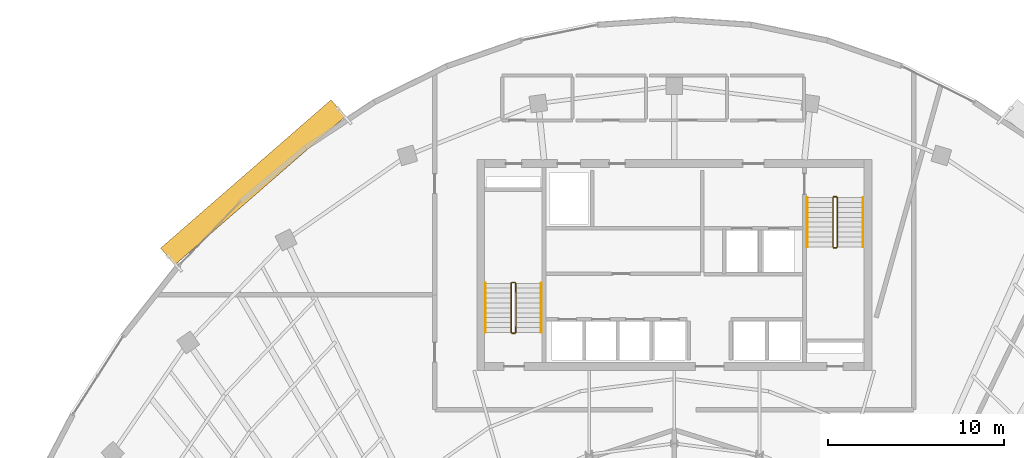
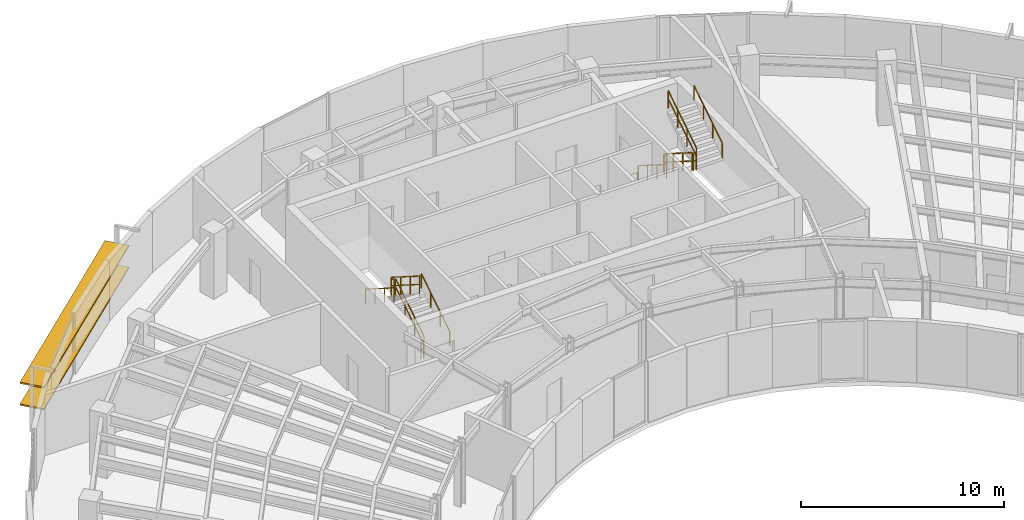
# One storey, part 12 of 13: 12 railings, 2 shading devices.
"""IFC4 building model written with IfcOpenShell, lengths in metres."""

from ifc_helpers import new_model, si_unit, direction, frame, origin, origin_2d, place, context, subcontext, project, spatial, rectangle, extrude, source, transform, mapped, material, material_profile, profile_set, type_object, element, save


model = new_model("IFC4")

# Units and contexts
model_context = context("Model", 3, precision=1e-05, world=origin(), true_north=direction((0.0, 1.0)))
body_context = subcontext(model_context, "Body", "Model", "MODEL_VIEW")
ifc_project = project(units=[si_unit("LENGTHUNIT", "METRE"), si_unit("AREAUNIT", "SQUARE_METRE"), si_unit("VOLUMEUNIT", "CUBIC_METRE"), si_unit("PLANEANGLEUNIT", "RADIAN"), si_unit("MASSUNIT", "GRAM", prefix="KILO")], contexts=[model_context])

# Site, building, storey
site_placement = place(None, origin())
site = spatial("IfcSite", under=ifc_project, at=site_placement, CompositionType="ELEMENT")
building_placement = place(site_placement, origin())
building = spatial("IfcBuilding", under=site, at=building_placement, Name="Breltana Convention Tower", CompositionType="ELEMENT")
storey_placement = place(building_placement, frame((0.0, 0.0, 227.39990234375)))
storey = spatial("IfcBuildingStorey", under=building, at=storey_placement, Name="L55", CompositionType="ELEMENT", Elevation=227.39990234375)

# Railings
ifc_material_1 = material(Name="Steel S275 Painted", Category="steel")
railing_type_1 = type_object("IfcRailingType", Name="RL-STAIR-GUARD-1100", PredefinedType="GUARDRAIL", material=ifc_material_1)
railing_1_placement = place(storey_placement, frame((38.9599609375, 62.360107421875, 0.177490234375)))
element("IfcRailing", 1, at=railing_1_placement, inside=storey, type_object=railing_type_1, Name="L55 ST-1 stair guard 1", PredefinedType="GUARDRAIL", context=body_context, shape_type="SweptSolid", body=[
    extrude(rectangle(XDim=0.048095703125, YDim=0.048095703125, at=origin_2d()), frame((0.0, 0.0, 1.076171875), z_axis=(0.0, 0.844887892834, 0.53494340686), x_axis=(-1.0, 0.0, 0.0)), (0.0, 0.0, 1.0), 3.313720703125),
    extrude(rectangle(XDim=0.048095703125, YDim=0.048095703125, at=origin_2d()), frame((0.0, 0.0, 0.572021484375), z_axis=(0.0, 0.844887892834, 0.53494340686), x_axis=(-1.0, 0.0, 0.0)), (0.0, 0.0, 1.0), 3.313720703125),
    extrude(rectangle(XDim=0.0419921875, YDim=0.0419921875, at=origin_2d()), origin(), (0.0, 0.0, 1.0), 1.052001953125),
    extrude(rectangle(XDim=0.0419921875, YDim=0.0419921875, at=origin_2d()), frame((0.0, 0.933349609375, 0.5908203125)), (0.0, 0.0, 1.0), 1.052001953125),
    extrude(rectangle(XDim=0.0419921875, YDim=0.0419921875, at=origin_2d()), frame((0.0, 1.866455078125, 1.181884765625)), (0.0, 0.0, 1.0), 1.052001953125),
    extrude(rectangle(XDim=0.0419921875, YDim=0.0419921875, at=origin_2d()), frame((0.0, 2.7998046875, 1.772705078125)), (0.0, 0.0, 1.0), 1.052001953125),
])
railing_2_placement = place(storey_placement, frame((38.909912109375, 65.2099609375, 1.9501953125)))
element("IfcRailing", 2, at=railing_2_placement, inside=storey, type_object=railing_type_1, Name="L55 ST-1 stair guard 2", PredefinedType="GUARDRAIL", context=body_context, shape_type="SweptSolid", body=[
    extrude(rectangle(XDim=0.048095703125, YDim=0.048095703125, at=origin_2d()), frame((0.0, 0.0, 1.076171875), z_axis=(-1.0, 0.0, 0.0), x_axis=(0.0, -1.0, 0.0)), (0.0, 0.0, 1.0), 0.14990234375),
    extrude(rectangle(XDim=0.048095703125, YDim=0.048095703125, at=origin_2d()), frame((0.0, 0.0, 0.572021484375), z_axis=(-1.0, 0.0, 0.0), x_axis=(0.0, -1.0, 0.0)), (0.0, 0.0, 1.0), 0.14990234375),
    extrude(rectangle(XDim=0.0419921875, YDim=0.0419921875, at=origin_2d()), origin(), (0.0, 0.0, 1.0), 1.052001953125),
    extrude(rectangle(XDim=0.0419921875, YDim=0.0419921875, at=origin_2d()), frame((-0.14990234375, 0.0, 0.0)), (0.0, 0.0, 1.0), 1.052001953125),
])
railing_3_placement = place(storey_placement, frame((38.7099609375, 65.159912109375, 2.12744140625)))
element("IfcRailing", 3, at=railing_3_placement, inside=storey, type_object=railing_type_1, Name="L55 ST-1 stair guard 3", PredefinedType="GUARDRAIL", context=body_context, shape_type="SweptSolid", body=[
    extrude(rectangle(XDim=0.048095703125, YDim=0.048095703125, at=origin_2d()), frame((0.0, 0.0, 1.076171875), z_axis=(0.0, -0.844887892834, 0.53494340686), x_axis=(1.0, 0.0, 0.0)), (0.0, 0.0, 1.0), 3.313720703125),
    extrude(rectangle(XDim=0.048095703125, YDim=0.048095703125, at=origin_2d()), frame((0.0, 0.0, 0.572021484375), z_axis=(0.0, -0.844887892834, 0.53494340686), x_axis=(1.0, 0.0, 0.0)), (0.0, 0.0, 1.0), 3.313720703125),
    extrude(rectangle(XDim=0.0419921875, YDim=0.0419921875, at=origin_2d()), origin(), (0.0, 0.0, 1.0), 1.052001953125),
    extrude(rectangle(XDim=0.0419921875, YDim=0.0419921875, at=origin_2d()), frame((0.0, -0.933349609375, 0.5908203125)), (0.0, 0.0, 1.0), 1.052001953125),
    extrude(rectangle(XDim=0.0419921875, YDim=0.0419921875, at=origin_2d()), frame((0.0, -1.866455078125, 1.181884765625)), (0.0, 0.0, 1.0), 1.052001953125),
    extrude(rectangle(XDim=0.0419921875, YDim=0.0419921875, at=origin_2d()), frame((0.0, -2.7998046875, 1.772705078125)), (0.0, 0.0, 1.0), 1.052001953125),
])
railing_4_placement = place(storey_placement, frame((38.909912109375, 62.31005859375, 0.0)))
element("IfcRailing", 4, at=railing_4_placement, inside=storey, type_object=railing_type_1, Name="L55 ST-1 stair guard 4", PredefinedType="GUARDRAIL", context=body_context, shape_type="SweptSolid", body=[
    extrude(rectangle(XDim=0.048095703125, YDim=0.048095703125, at=origin_2d()), frame((0.0, 0.0, 1.076171875), z_axis=(-1.0, 0.0, 0.0), x_axis=(0.0, -1.0, 0.0)), (0.0, 0.0, 1.0), 0.14990234375),
    extrude(rectangle(XDim=0.048095703125, YDim=0.048095703125, at=origin_2d()), frame((0.0, 0.0, 0.572021484375), z_axis=(-1.0, 0.0, 0.0), x_axis=(0.0, -1.0, 0.0)), (0.0, 0.0, 1.0), 0.14990234375),
    extrude(rectangle(XDim=0.0419921875, YDim=0.0419921875, at=origin_2d()), origin(), (0.0, 0.0, 1.0), 1.052001953125),
    extrude(rectangle(XDim=0.0419921875, YDim=0.0419921875, at=origin_2d()), frame((-0.14990234375, 0.0, 0.0)), (0.0, 0.0, 1.0), 1.052001953125),
])
railing_5_placement = place(storey_placement, frame((57.0400390625, 70.0400390625, 0.177490234375)))
element("IfcRailing", 5, at=railing_5_placement, inside=storey, type_object=railing_type_1, Name="L55 ST-2 stair guard 1", PredefinedType="GUARDRAIL", context=body_context, shape_type="SweptSolid", body=[
    extrude(rectangle(XDim=0.048095703125, YDim=0.048095703125, at=origin_2d()), frame((0.0, 0.0, 1.076171875), z_axis=(0.0, -0.844908973607, 0.534910110503), x_axis=(1.0, 0.0, 0.0)), (0.0, 0.0, 1.0), 3.31396484375),
    extrude(rectangle(XDim=0.048095703125, YDim=0.048095703125, at=origin_2d()), frame((0.0, 0.0, 0.572021484375), z_axis=(0.0, -0.844908973607, 0.534910110503), x_axis=(1.0, 0.0, 0.0)), (0.0, 0.0, 1.0), 3.31396484375),
    extrude(rectangle(XDim=0.0419921875, YDim=0.0419921875, at=origin_2d()), origin(), (0.0, 0.0, 1.0), 1.052001953125),
    extrude(rectangle(XDim=0.0419921875, YDim=0.0419921875, at=origin_2d()), frame((0.0, -0.933349609375, 0.5908203125)), (0.0, 0.0, 1.0), 1.052001953125),
    extrude(rectangle(XDim=0.0419921875, YDim=0.0419921875, at=origin_2d()), frame((0.0, -1.86669921875, 1.181884765625)), (0.0, 0.0, 1.0), 1.052001953125),
    extrude(rectangle(XDim=0.0419921875, YDim=0.0419921875, at=origin_2d()), frame((0.0, -2.800048828125, 1.772705078125)), (0.0, 0.0, 1.0), 1.052001953125),
])
railing_6_placement = place(storey_placement, frame((57.090087890625, 67.18994140625, 1.9501953125)))
element("IfcRailing", 6, at=railing_6_placement, inside=storey, type_object=railing_type_1, Name="L55 ST-2 stair guard 2", PredefinedType="GUARDRAIL", context=body_context, shape_type="SweptSolid", body=[
    extrude(rectangle(XDim=0.048095703125, YDim=0.048095703125, at=origin_2d()), frame((0.0, 0.0, 1.076171875), z_axis=(1.0, 0.0, 0.0), x_axis=(0.0, 1.0, 0.0)), (0.0, 0.0, 1.0), 0.14990234375),
    extrude(rectangle(XDim=0.048095703125, YDim=0.048095703125, at=origin_2d()), frame((0.0, 0.0, 0.572021484375), z_axis=(1.0, 0.0, 0.0), x_axis=(0.0, 1.0, 0.0)), (0.0, 0.0, 1.0), 0.14990234375),
    extrude(rectangle(XDim=0.0419921875, YDim=0.0419921875, at=origin_2d()), origin(), (0.0, 0.0, 1.0), 1.052001953125),
    extrude(rectangle(XDim=0.0419921875, YDim=0.0419921875, at=origin_2d()), frame((0.14990234375, 0.0, 0.0)), (0.0, 0.0, 1.0), 1.052001953125),
])
railing_7_placement = place(storey_placement, frame((57.2900390625, 67.239990234375, 2.12744140625)))
element("IfcRailing", 7, at=railing_7_placement, inside=storey, type_object=railing_type_1, Name="L55 ST-2 stair guard 3", PredefinedType="GUARDRAIL", context=body_context, shape_type="SweptSolid", body=[
    extrude(rectangle(XDim=0.048095703125, YDim=0.048095703125, at=origin_2d()), frame((0.0, 0.0, 1.076171875), z_axis=(0.0, 0.844908973607, 0.534910110503), x_axis=(-1.0, 0.0, 0.0)), (0.0, 0.0, 1.0), 3.31396484375),
    extrude(rectangle(XDim=0.048095703125, YDim=0.048095703125, at=origin_2d()), frame((0.0, 0.0, 0.572021484375), z_axis=(0.0, 0.844908973607, 0.534910110503), x_axis=(-1.0, 0.0, 0.0)), (0.0, 0.0, 1.0), 3.31396484375),
    extrude(rectangle(XDim=0.0419921875, YDim=0.0419921875, at=origin_2d()), origin(), (0.0, 0.0, 1.0), 1.052001953125),
    extrude(rectangle(XDim=0.0419921875, YDim=0.0419921875, at=origin_2d()), frame((0.0, 0.933349609375, 0.5908203125)), (0.0, 0.0, 1.0), 1.052001953125),
    extrude(rectangle(XDim=0.0419921875, YDim=0.0419921875, at=origin_2d()), frame((0.0, 1.86669921875, 1.181884765625)), (0.0, 0.0, 1.0), 1.052001953125),
    extrude(rectangle(XDim=0.0419921875, YDim=0.0419921875, at=origin_2d()), frame((0.0, 2.800048828125, 1.772705078125)), (0.0, 0.0, 1.0), 1.052001953125),
])
railing_8_placement = place(storey_placement, frame((57.090087890625, 70.090087890625, 0.0)))
element("IfcRailing", 8, at=railing_8_placement, inside=storey, type_object=railing_type_1, Name="L55 ST-2 stair guard 4", PredefinedType="GUARDRAIL", context=body_context, shape_type="SweptSolid", body=[
    extrude(rectangle(XDim=0.048095703125, YDim=0.048095703125, at=origin_2d()), frame((0.0, 0.0, 1.076171875), z_axis=(1.0, 0.0, 0.0), x_axis=(0.0, 1.0, 0.0)), (0.0, 0.0, 1.0), 0.14990234375),
    extrude(rectangle(XDim=0.048095703125, YDim=0.048095703125, at=origin_2d()), frame((0.0, 0.0, 0.572021484375), z_axis=(1.0, 0.0, 0.0), x_axis=(0.0, 1.0, 0.0)), (0.0, 0.0, 1.0), 0.14990234375),
    extrude(rectangle(XDim=0.0419921875, YDim=0.0419921875, at=origin_2d()), origin(), (0.0, 0.0, 1.0), 1.052001953125),
    extrude(rectangle(XDim=0.0419921875, YDim=0.0419921875, at=origin_2d()), frame((0.14990234375, 0.0, 0.0)), (0.0, 0.0, 1.0), 1.052001953125),
])
ifc_material_2 = material(Name="Stainless Steel 316L", Category="steel")
railing_type_2 = type_object("IfcRailingType", Name="RL-STAIR-HANDRAIL-900", PredefinedType="HANDRAIL", material=ifc_material_2)
railing_9_placement = place(storey_placement, frame((40.419921875, 62.360107421875, 0.177490234375)))
element("IfcRailing", 9, at=railing_9_placement, inside=storey, type_object=railing_type_2, Name="L55 ST-1 stair handrail 1", PredefinedType="HANDRAIL", context=body_context, shape_type="SweptSolid", body=[
    extrude(rectangle(XDim=0.048095703125, YDim=0.048095703125, at=origin_2d()), frame((0.0, 0.0, 0.8759765625), z_axis=(0.0, 0.844887892834, 0.53494340686), x_axis=(-1.0, 0.0, 0.0)), (0.0, 0.0, 1.0), 3.313720703125),
    extrude(rectangle(XDim=0.0419921875, YDim=0.0419921875, at=origin_2d()), origin(), (0.0, 0.0, 1.0), 0.851806640625),
    extrude(rectangle(XDim=0.0419921875, YDim=0.0419921875, at=origin_2d()), frame((0.0, 0.933349609375, 0.5908203125)), (0.0, 0.0, 1.0), 0.851806640625),
    extrude(rectangle(XDim=0.0419921875, YDim=0.0419921875, at=origin_2d()), frame((0.0, 1.866455078125, 1.181884765625)), (0.0, 0.0, 1.0), 0.851806640625),
    extrude(rectangle(XDim=0.0419921875, YDim=0.0419921875, at=origin_2d()), frame((0.0, 2.7998046875, 1.772705078125)), (0.0, 0.0, 1.0), 0.851806640625),
])
railing_10_placement = place(storey_placement, frame((37.25, 65.159912109375, 2.12744140625)))
element("IfcRailing", 10, at=railing_10_placement, inside=storey, type_object=railing_type_2, Name="L55 ST-1 stair handrail 2", PredefinedType="HANDRAIL", context=body_context, shape_type="SweptSolid", body=[
    extrude(rectangle(XDim=0.048095703125, YDim=0.048095703125, at=origin_2d()), frame((0.0, 0.0, 0.8759765625), z_axis=(0.0, -0.844887892834, 0.53494340686), x_axis=(1.0, 0.0, 0.0)), (0.0, 0.0, 1.0), 3.313720703125),
    extrude(rectangle(XDim=0.0419921875, YDim=0.0419921875, at=origin_2d()), origin(), (0.0, 0.0, 1.0), 0.851806640625),
    extrude(rectangle(XDim=0.0419921875, YDim=0.0419921875, at=origin_2d()), frame((0.0, -0.933349609375, 0.5908203125)), (0.0, 0.0, 1.0), 0.851806640625),
    extrude(rectangle(XDim=0.0419921875, YDim=0.0419921875, at=origin_2d()), frame((0.0, -1.866455078125, 1.181884765625)), (0.0, 0.0, 1.0), 0.851806640625),
    extrude(rectangle(XDim=0.0419921875, YDim=0.0419921875, at=origin_2d()), frame((0.0, -2.7998046875, 1.772705078125)), (0.0, 0.0, 1.0), 0.851806640625),
])
railing_11_placement = place(storey_placement, frame((55.580078125, 70.0400390625, 0.177490234375)))
element("IfcRailing", 11, at=railing_11_placement, inside=storey, type_object=railing_type_2, Name="L55 ST-2 stair handrail 1", PredefinedType="HANDRAIL", context=body_context, shape_type="SweptSolid", body=[
    extrude(rectangle(XDim=0.048095703125, YDim=0.048095703125, at=origin_2d()), frame((0.0, 0.0, 0.8759765625), z_axis=(0.0, -0.844908973607, 0.534910110503), x_axis=(1.0, 0.0, 0.0)), (0.0, 0.0, 1.0), 3.31396484375),
    extrude(rectangle(XDim=0.0419921875, YDim=0.0419921875, at=origin_2d()), origin(), (0.0, 0.0, 1.0), 0.851806640625),
    extrude(rectangle(XDim=0.0419921875, YDim=0.0419921875, at=origin_2d()), frame((0.0, -0.933349609375, 0.5908203125)), (0.0, 0.0, 1.0), 0.851806640625),
    extrude(rectangle(XDim=0.0419921875, YDim=0.0419921875, at=origin_2d()), frame((0.0, -1.86669921875, 1.181884765625)), (0.0, 0.0, 1.0), 0.851806640625),
    extrude(rectangle(XDim=0.0419921875, YDim=0.0419921875, at=origin_2d()), frame((0.0, -2.800048828125, 1.772705078125)), (0.0, 0.0, 1.0), 0.851806640625),
])
railing_12_placement = place(storey_placement, frame((58.75, 67.239990234375, 2.12744140625)))
element("IfcRailing", 12, at=railing_12_placement, inside=storey, type_object=railing_type_2, Name="L55 ST-2 stair handrail 2", PredefinedType="HANDRAIL", context=body_context, shape_type="SweptSolid", body=[
    extrude(rectangle(XDim=0.048095703125, YDim=0.048095703125, at=origin_2d()), frame((0.0, 0.0, 0.8759765625), z_axis=(0.0, 0.844908973607, 0.534910110503), x_axis=(-1.0, 0.0, 0.0)), (0.0, 0.0, 1.0), 3.31396484375),
    extrude(rectangle(XDim=0.0419921875, YDim=0.0419921875, at=origin_2d()), origin(), (0.0, 0.0, 1.0), 0.851806640625),
    extrude(rectangle(XDim=0.0419921875, YDim=0.0419921875, at=origin_2d()), frame((0.0, 0.933349609375, 0.5908203125)), (0.0, 0.0, 1.0), 0.851806640625),
    extrude(rectangle(XDim=0.0419921875, YDim=0.0419921875, at=origin_2d()), frame((0.0, 1.86669921875, 1.181884765625)), (0.0, 0.0, 1.0), 0.851806640625),
    extrude(rectangle(XDim=0.0419921875, YDim=0.0419921875, at=origin_2d()), frame((0.0, 2.800048828125, 1.772705078125)), (0.0, 0.0, 1.0), 0.851806640625),
])

# Shading devices
ifc_material_3 = material(Name="Limestone Warm Buff Honed", Category="masonry")
ifc_material_profile = material_profile(ifc_material_3, rectangle(XDim=1.25, YDim=0.090087890625, at=origin_2d()), Name="STN-LVR-1250X90")
ifc_profile_set = profile_set([ifc_material_profile], Name="Limestone Warm Buff Honed")
shading_device_type = type_object("IfcShadingDeviceType", Name="SHD-OUTER-SKIN-LIMESTONE-1250", PredefinedType="JALOUSIE", material=ifc_profile_set)
shared_shape = source(origin(), body_context, "Body", "SweptSolid", [
    extrude(rectangle(XDim=1.25, YDim=0.090087890625, at=origin_2d()), origin(), (0.0, 0.0, 1.0), 12.87255859375),
])
for number, where, z_axis, x_axis, name in (
    (13, (19.147216796875, 66.69140625, 1.314208984375), (0.754370287864, 0.656449136482, 0.0), (-0.656449136482, 0.754370287864, 0.0), "L55 outer skin warm limestone louvre 1.1"),
    (14, (19.147216796875, 66.69140625, 2.628173828125), (0.754370287864, 0.656449136482, 0.0), (-0.656449136482, 0.754370287864, 0.0), "L55 outer skin warm limestone louvre 1.2"),
):
    element("IfcShadingDevice", number, at=place(storey_placement, frame(where, z_axis=z_axis, x_axis=x_axis)), inside=storey, type_object=shading_device_type, Name=name, PredefinedType="JALOUSIE", context=body_context, shape_type="MappedRepresentation", body=[
        mapped(shared_shape, transform((0.0, 0.0, 0.0), scale=1.0)),
    ])

save(model, "model.ifc")
